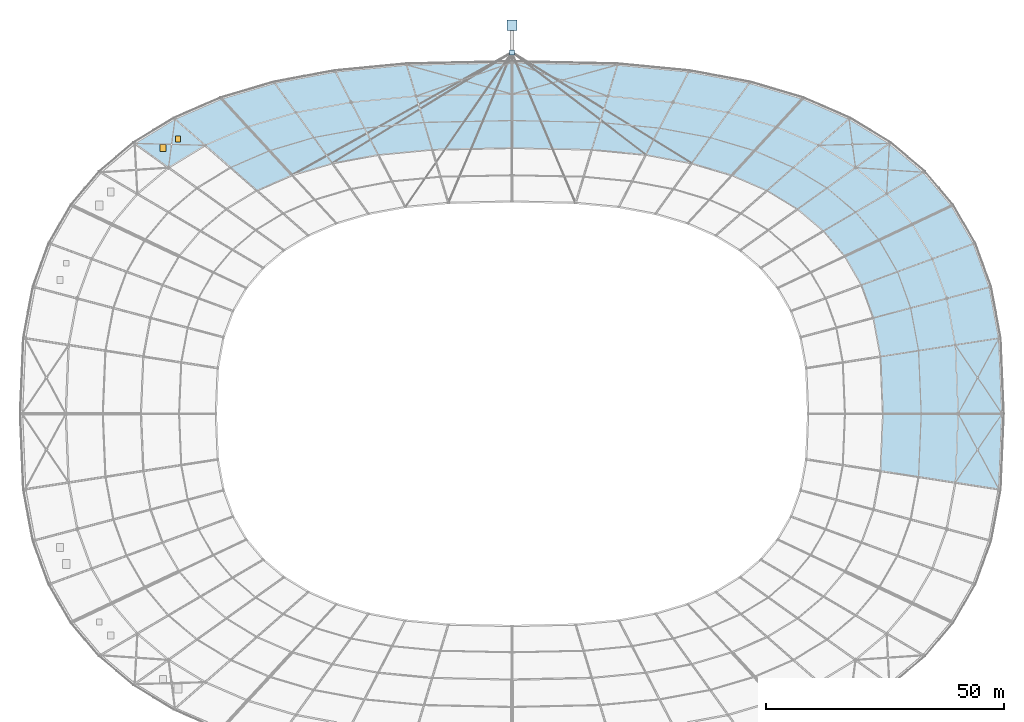
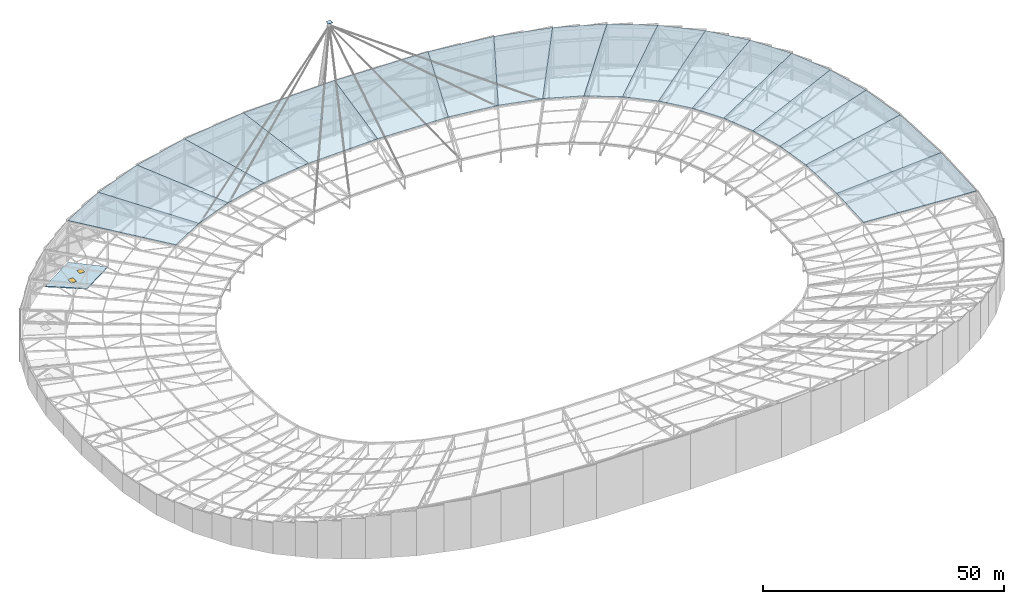
# One storey, part 106 of 143: 19 slabs, 2 plates, 2 windows, 2 openings, 1 element without a shape of its own.
"""IFC4 building model written with IfcOpenShell, lengths in metres."""

from ifc_helpers import new_model, si_unit, direction, frame, origin, origin_2d, place, context, subcontext, project, spatial, polyline, rectangle, outline, extrude, material, layer, layer_set, type_object, element, fill, aggregate, save


model = new_model("IFC4")

# Units and contexts
model_context = context("Model", 3, precision=1e-05, world=origin(), true_north=direction((0.0, 1.0)))
body_context = subcontext(model_context, "Body", "Model", "MODEL_VIEW")
ifc_project = project(units=[si_unit("LENGTHUNIT", "METRE"), si_unit("AREAUNIT", "SQUARE_METRE"), si_unit("VOLUMEUNIT", "CUBIC_METRE"), si_unit("PLANEANGLEUNIT", "RADIAN"), si_unit("MASSUNIT", "GRAM", prefix="KILO")], contexts=[model_context])

# Site, building, storey
site_placement = place(None, origin())
site = spatial("IfcSite", under=ifc_project, at=site_placement, CompositionType="ELEMENT")
building_placement = place(site_placement, origin())
building = spatial("IfcBuilding", under=site, at=building_placement, Name="Mphavela Belvedere Stadium", CompositionType="ELEMENT")
storey_placement = place(building_placement, frame((0.0, 0.0, 28.800048828125)))
storey = spatial("IfcBuildingStorey", under=building, at=storey_placement, Name="RF", CompositionType="ELEMENT", Elevation=28.800048828125)

# Plates
ifc_material_1 = material(Name="Steel S355", Category="steel")
ifc_layer_1 = layer(ifc_material_1, 0.031982421875)
ifc_layer_set_1 = layer_set([ifc_layer_1], Name="Steel S355")
plate_type_1 = type_object("IfcPlateType", Name="PLT-CAP-MAST-BASE", PredefinedType="USERDEFINED", material=ifc_layer_set_1)
plate_1_placement = place(storey_placement, frame((115.0, 168.5, 0.0), z_axis=(0.0, 0.0, 1.0), x_axis=(1.0, 0.0, 0.0)))
element("IfcPlate", 1, at=plate_1_placement, inside=storey, type_object=plate_type_1, Name="North raked mast RM1 base plate and anchor assembly", ObjectType="GUSSET_PLATE", PredefinedType="USERDEFINED", context=body_context, shape_type="SweptSolid", body=[
    extrude(rectangle(XDim=2.199951171875, YDim=2.199951171875, at=origin_2d()), origin(), (0.0, 0.0, 1.0), 0.031982421875),
])
ifc_material_2 = material(Name="Steel S355", Category="steel")
ifc_layer_2 = layer(ifc_material_2, 0.028076171875)
ifc_layer_set_2 = layer_set([ifc_layer_2], Name="Steel S355")
plate_type_2 = type_object("IfcPlateType", Name="PLT-CAP-MAST-TOP", PredefinedType="USERDEFINED", material=ifc_layer_set_2)
plate_2_placement = place(storey_placement, frame((115.0, 162.800048828125, 27.5859375), z_axis=(0.0, 0.0, 1.0), x_axis=(1.0, 0.0, 0.0)))
element("IfcPlate", 2, at=plate_2_placement, inside=storey, type_object=plate_type_2, Name="North raked mast RM1 apex cap plate", ObjectType="GUSSET_PLATE", PredefinedType="USERDEFINED", context=body_context, shape_type="SweptSolid", body=[
    extrude(rectangle(XDim=1.10009765625, YDim=1.10009765625, at=origin_2d()), origin(), (0.0, 0.0, 1.0), 0.028076171875),
])

# Roof, slabs, openings, windows
ifc_material_3 = material(Name="Translucent polycarbonate roof glazing", Category="glass")
roof_type = type_object("IfcRoofType", Name="ROOF-SADDLE-ASSY", PredefinedType="FREEFORM", material=ifc_material_3)
roof_placement = place(storey_placement, origin())
roof = element("IfcRoof", 3, at=roof_placement, inside=storey, type_object=roof_type, Name="Elliptical translucent saddle ring roof", PredefinedType="FREEFORM")
ifc_material_4 = material(Name="Translucent polycarbonate roof glazing over Steel S355 purlins", Category="steel")
ifc_layer_3 = layer(ifc_material_4, 0.179931640625)
ifc_layer_set_3 = layer_set([ifc_layer_3], Name="Translucent polycarbonate roof glazing over Steel S355 purlins")
slab_type_1 = type_object("IfcSlabType", Name="SLB-ROOF-POLY-180", PredefinedType="ROOF", material=ifc_layer_set_3)
slab_1_placement = place(storey_placement, frame((192.842529296875, 87.0, 2.9453125), z_axis=(-0.062750824658, -0.012932047548, 0.997945437462), x_axis=(-0.041906744972, 0.99906831481, 0.010311501771)))
slab_1 = element("IfcSlab", 4, at=slab_1_placement, type_object=slab_type_1, Name="Translucent saddle canopy panel 01-2", PredefinedType="ROOF", context=body_context, shape_type="SweptSolid", body=[
    extrude(outline(polyline([(0.0, 0.0), (12.007035981681947, 8.673617379884035e-18), (14.829211472599106, -25.005723198609175), (-1.0305325619412222, -25.005641531820796), (0.0, 0.0)])), origin(), (0.0, 0.0, -1.0), 0.179931640625),
])
slab_2_placement = place(storey_placement, frame((192.33935546875, 98.995849609375, 3.069091796875), z_axis=(-0.056154244262, -0.055032730131, 0.996904257923), x_axis=(-0.18243819098, 0.982234706245, 0.043946425573)))
slab_2 = element("IfcSlab", 5, at=slab_2_placement, type_object=slab_type_1, Name="Translucent saddle canopy panel 02-2", PredefinedType="ROOF", context=body_context, shape_type="SweptSolid", body=[
    extrude(outline(polyline([(0.0, 0.0), (8.260768981880847, 1.0408340855860843e-16), (10.23552338864313, -25.155086016875817), (-0.6759062003940843, -25.155397392929647), (0.0, 0.0)])), origin(), (0.0, 0.0, -1.0), 0.179931640625),
])
slab_3_placement = place(storey_placement, frame((190.832275390625, 107.10986328125, 3.43212890625), z_axis=(-0.044245308, -0.099200765104, 0.994083276654), x_axis=(-0.340000664528, 0.937152648351, 0.078386617544)))
slab_3 = element("IfcSlab", 6, at=slab_3_placement, type_object=slab_type_1, Name="Translucent saddle canopy panel 03-2", PredefinedType="ROOF", context=body_context, shape_type="SweptSolid", body=[
    extrude(outline(polyline([(0.0, 0.0), (7.367301773413963, 2.220446049250313e-16), (7.640832806532961, -25.146073754961183), (-2.0905256807669184, -25.145729455522236), (0.0, 0.0)])), origin(), (0.0, 0.0, -1.0), 0.179931640625),
])
slab_4_placement = place(storey_placement, frame((188.327392578125, 114.01416015625, 4.009521484375), z_axis=(-0.028862152723, -0.140004301385, 0.989730150967), x_axis=(-0.49768019511, 0.860705565907, 0.107239695134)))
slab_4 = element("IfcSlab", 7, at=slab_4_placement, type_object=slab_type_1, Name="Translucent saddle canopy panel 04-2", PredefinedType="ROOF", context=body_context, shape_type="SweptSolid", body=[
    extrude(outline(polyline([(0.0, 0.0), (7.018400475773272, 3.0531133177191805e-16), (5.226613501522987, -24.820291656156545), (-4.043962762223195, -24.82027819553575), (0.0, 0.0)])), origin(), (0.0, 0.0, -1.0), 0.179931640625),
])
slab_5_placement = place(storey_placement, frame((184.83447265625, 120.054931640625, 4.76220703125), z_axis=(-0.012483112725, -0.173591051891, 0.984738705749), x_axis=(-0.640074409653, 0.757992736839, 0.125506019804)))
slab_5 = element("IfcSlab", 8, at=slab_5_placement, type_object=slab_type_1, Name="Translucent saddle canopy panel 05-2", PredefinedType="ROOF", context=body_context, shape_type="SweptSolid", body=[
    extrude(outline(polyline([(0.0, 0.0), (6.98351745546173, 1.0269562977782698e-15), (3.19152392636825, -24.142724802360686), (-6.0326516070483684, -24.142586709938033), (0.0, 0.0)])), origin(), (0.0, 0.0, -1.0), 0.179931640625),
])
slab_6_placement = place(storey_placement, frame((180.364501953125, 125.348388671875, 5.638671875), z_axis=(0.002392054769, -0.198047747663, 0.980189455013), x_axis=(-0.757648995264, 0.639373077979, 0.131034602797)))
slab_6 = element("IfcSlab", 9, at=slab_6_placement, type_object=slab_type_1, Name="Translucent saddle canopy panel 06-2", PredefinedType="ROOF", context=body_context, shape_type="SweptSolid", body=[
    extrude(outline(polyline([(0.0, 0.0), (7.177128353319401, -1.1657341758564144e-15), (1.7759581672517495, -23.192195402589864), (-7.704161750379658, -23.192590789533337), (0.0, 0.0)])), origin(), (0.0, 0.0, -1.0), 0.179931640625),
])
slab_7_placement = place(storey_placement, frame((174.9267578125, 129.937255859375, 6.5791015625), z_axis=(0.013750776942, -0.213248287485, 0.976901266259), x_axis=(-0.847670959605, 0.51570568008, 0.1245054046)))
slab_7 = element("IfcSlab", 10, at=slab_7_placement, type_object=slab_type_1, Name="Translucent saddle canopy panel 07-2", PredefinedType="ROOF", context=body_context, shape_type="SweptSolid", body=[
    extrude(outline(polyline([(0.0, 0.0), (7.555168673020906, -3.608224830031759e-16), (1.1254187471130894, -22.105489857060974), (-8.853858380276769, -22.1056499283121), (0.0, 0.0)])), origin(), (0.0, 0.0, -1.0), 0.179931640625),
])
slab_8_placement = place(storey_placement, frame((168.5224609375, 133.83349609375, 7.519775390625), z_axis=(0.020202543556, -0.220281385412, 0.975227136863), x_axis=(-0.912119169022, 0.395386554404, 0.108203946782)))
slab_8 = element("IfcSlab", 11, at=slab_8_placement, type_object=slab_type_1, Name="Translucent saddle canopy panel 08-2", PredefinedType="ROOF", context=body_context, shape_type="SweptSolid", body=[
    extrude(outline(polyline([(0.0, 0.0), (8.100020332656722, -2.220446049250313e-16), (1.3049359001734622, -21.01790024660058), (-9.39418244809289, -21.01769973290086), (0.0, 0.0)])), origin(), (0.0, 0.0, -1.0), 0.179931640625),
])
slab_9_placement = place(storey_placement, frame((161.13427734375, 137.0361328125, 8.396240234375), z_axis=(0.021332302102, -0.221271990629, 0.974978789026), x_axis=(-0.955167102142, 0.283529413605, 0.085245988801)))
slab_9 = element("IfcSlab", 12, at=slab_9_placement, type_object=slab_type_1, Name="Translucent saddle canopy panel 09-2", PredefinedType="ROOF", context=body_context, shape_type="SweptSolid", body=[
    extrude(outline(polyline([(0.0, 0.0), (8.826886929130305, -1.1102230246251565e-16), (2.3545046532320315, -20.033807558749324), (-9.30443501418031, -20.033791260952036), (0.0, 0.0)])), origin(), (0.0, 0.0, -1.0), 0.179931640625),
])
slab_10_placement = place(storey_placement, frame((152.703125, 139.538818359375, 9.148681640625), z_axis=(0.017728133813, -0.218818356617, 0.975604551075), x_axis=(-0.981392714147, 0.18277733663, 0.058828444091)))
slab_10 = element("IfcSlab", 13, at=slab_10_placement, type_object=slab_type_1, Name="Translucent saddle canopy panel 10-2", PredefinedType="ROOF", context=body_context, shape_type="SweptSolid", body=[
    extrude(outline(polyline([(0.0, 0.0), (9.81893425968205, -2.498001805406602e-16), (4.387565532879385, -19.22449784387735), (-8.582237834766785, -19.224733323874474), (0.0, 0.0)])), origin(), (0.0, 0.0, -1.0), 0.179931640625),
])
slab_11_placement = place(storey_placement, frame((143.06689453125, 141.33349609375, 9.726318359375), z_axis=(0.010760990642, -0.215402374624, 0.976466086501), x_axis=(-0.994978062697, 0.094875845376, 0.031894023194)))
slab_11 = element("IfcSlab", 14, at=slab_11_placement, type_object=slab_type_1, Name="Translucent saddle canopy panel 11-2", PredefinedType="ROOF", context=body_context, shape_type="SweptSolid", body=[
    extrude(outline(polyline([(0.0, 0.0), (11.381621024120491, 2.7755575615628914e-17), (7.846678343530269, -18.63955956402324), (-7.187088831635805, -18.63938941384328), (0.0, 0.0)])), origin(), (0.0, 0.0, -1.0), 0.179931640625),
])
slab_12_placement = place(storey_placement, frame((131.742431640625, 142.413330078125, 10.08935546875), z_axis=(0.002638800976, -0.213071133453, 0.977033125753), x_axis=(-0.999741142264, 0.021517374661, 0.007392635029)))
slab_12 = element("IfcSlab", 15, at=slab_12_placement, type_object=slab_type_1, Name="Translucent saddle canopy panel 12-2", PredefinedType="ROOF", context=body_context, shape_type="SweptSolid", body=[
    extrude(outline(polyline([(0.0, 0.0), (16.74676660741878, -4.163336342344337e-17), (17.160698926358865, -18.31218644579), (-4.959531628685112, -18.31207379081793), (0.0, 0.0)])), origin(), (0.0, 0.0, -1.0), 0.179931640625),
])
slab_13_placement = place(storey_placement, frame((115.0, 142.773681640625, 10.213134765625), z_axis=(-0.002638800976, -0.213071133453, 0.977033125753), x_axis=(-0.999741142264, -0.021517374661, -0.007392635029)))
slab_13 = element("IfcSlab", 16, at=slab_13_placement, type_object=slab_type_1, Name="Translucent saddle canopy panel 13-2", PredefinedType="ROOF", context=body_context, shape_type="SweptSolid", body=[
    extrude(outline(polyline([(0.0, 0.0), (16.74676660741878, 4.163336342344337e-17), (21.706298236103894, -18.31207379081793), (-0.4139323189400798, -18.312186445790005), (0.0, 0.0)])), origin(), (0.0, 0.0, -1.0), 0.179931640625),
])
slab_14_placement = place(storey_placement, frame((98.257568359375, 142.413330078125, 10.08935546875), z_axis=(-0.010760990642, -0.215402374624, 0.976466086501), x_axis=(-0.994978062697, -0.094875845376, -0.031894023194)))
slab_14 = element("IfcSlab", 17, at=slab_14_placement, type_object=slab_type_1, Name="Translucent saddle canopy panel 14-2", PredefinedType="ROOF", context=body_context, shape_type="SweptSolid", body=[
    extrude(outline(polyline([(0.0, 0.0), (11.381621024120491, -2.7755575615628914e-17), (18.568709855756293, -18.63938941384328), (3.534942680590222, -18.639559564023244), (0.0, 0.0)])), origin(), (0.0, 0.0, -1.0), 0.179931640625),
])
slab_15_placement = place(storey_placement, frame((86.93310546875, 141.33349609375, 9.726318359375), z_axis=(-0.017728133813, -0.218818356617, 0.975604551075), x_axis=(-0.981392714147, -0.18277733663, -0.058828444091)))
slab_15 = element("IfcSlab", 18, at=slab_15_placement, type_object=slab_type_1, Name="Translucent saddle canopy panel 15-2", PredefinedType="ROOF", context=body_context, shape_type="SweptSolid", body=[
    extrude(outline(polyline([(0.0, 0.0), (9.81893425968205, 2.498001805406602e-16), (18.40117209444884, -19.224733323874474), (5.431368726802666, -19.224497843877355), (0.0, 0.0)])), origin(), (0.0, 0.0, -1.0), 0.179931640625),
])
slab_16_placement = place(storey_placement, frame((77.296875, 139.538818359375, 9.148681640625), z_axis=(-0.021332302102, -0.221271990629, 0.974978789026), x_axis=(-0.955167102142, -0.283529413605, -0.085245988801)))
slab_16 = element("IfcSlab", 19, at=slab_16_placement, type_object=slab_type_1, Name="Translucent saddle canopy panel 16-2", PredefinedType="ROOF", context=body_context, shape_type="SweptSolid", body=[
    extrude(outline(polyline([(0.0, 0.0), (8.826886929130305, 1.1102230246251565e-16), (18.131321943310617, -20.033791260952036), (6.472382275898273, -20.033807558749324), (0.0, 0.0)])), origin(), (0.0, 0.0, -1.0), 0.179931640625),
])
slab_17_placement = place(storey_placement, frame((68.86572265625, 137.0361328125, 8.396240234375), z_axis=(-0.020202543556, -0.220281385412, 0.975227136863), x_axis=(-0.912119169022, -0.395386554404, -0.108203946782)))
slab_17 = element("IfcSlab", 20, at=slab_17_placement, type_object=slab_type_1, Name="Translucent saddle canopy panel 17-2", PredefinedType="ROOF", context=body_context, shape_type="SweptSolid", body=[
    extrude(outline(polyline([(0.0, 0.0), (8.100020332656722, 2.220446049250313e-16), (17.494202780749614, -21.017699732900855), (6.795084432483262, -21.017900246600583), (0.0, 0.0)])), origin(), (0.0, 0.0, -1.0), 0.179931640625),
])
slab_18_placement = place(storey_placement, frame((192.33935546875, 75.004150390625, 3.069091796875), z_axis=(-0.062750824658, 0.012932047548, 0.997945437462), x_axis=(0.041906744972, 0.99906831481, -0.010311501771)))
slab_18 = element("IfcSlab", 21, at=slab_18_placement, type_object=slab_type_1, Name="Translucent saddle canopy panel 48-2", PredefinedType="ROOF", context=body_context, shape_type="SweptSolid", body=[
    extrude(outline(polyline([(0.0, 0.0), (12.007035981681947, -8.673617379884035e-18), (13.037568543623168, -25.0056415318208), (-2.8221754909171586, -25.005723198609175), (0.0, 0.0)])), origin(), (0.0, 0.0, -1.0), 0.179931640625),
])
ifc_material_5 = material(Name="Standing-seam zinc insulated roof over Concrete C40/50", Category="concrete")
ifc_layer_4 = layer(ifc_material_5, 0.239990234375)
ifc_layer_set_4 = layer_set([ifc_layer_4], Name="Standing-seam zinc insulated roof over Concrete C40/50")
slab_type_2 = type_object("IfcSlabType", Name="SLB-ROOF-ZINC-240", PredefinedType="ROOF", material=ifc_layer_set_4)
slab_19_placement = place(storey_placement, frame((0.0, 0.0, -0.239990234375)))
slab_19 = element("IfcSlab", 22, at=slab_19_placement, type_object=slab_type_2, Name="Gondola core overrun roof slab 01", PredefinedType="ROOF", context=body_context, shape_type="SweptSolid", body=[
    extrude(outline(polyline([(50.639892578125, 143.31689453125), (42.938720703125, 138.631591796875), (35.844482421875, 143.714599609375), (44.3037109375, 148.86083984375), (50.639892578125, 143.31689453125)])), origin(), (0.0, 0.0, 1.0), 0.239990234375),
])
opening_1_placement = place(slab_19_placement, frame((44.93408203125, 144.648193359375, 0.0)))
opening_1 = element("IfcOpeningElement", 23, at=opening_1_placement, cuts=slab_19, Name="Opening RH-01", PredefinedType="OPENING", context=body_context, shape_type="SweptSolid", body=[
    extrude(rectangle(XDim=1.14990234375, YDim=1.199951171875, at=origin_2d()), origin(), (0.0, 0.0, 1.0), 0.239990234375),
])
opening_2_placement = place(slab_19_placement, frame((41.773193359375, 142.72509765625, 0.0)))
opening_2 = element("IfcOpeningElement", 24, at=opening_2_placement, cuts=slab_19, Name="Opening RH-02", PredefinedType="OPENING", context=body_context, shape_type="SweptSolid", body=[
    extrude(rectangle(XDim=1.300048828125, YDim=1.449951171875, at=origin_2d()), origin(), (0.0, 0.0, 1.0), 0.239990234375),
])
ifc_material_6 = material(Name="Insulated aluminium skylight roof access hatch", Category="aluminium")
window_type_1 = type_object("IfcWindowType", Name="WIN-HATCH-01", PartitioningType="SINGLE_PANEL", PredefinedType="SKYLIGHT", material=ifc_material_6)
window_1_placement = place(opening_1_placement, frame((0.0, 0.0, 0.18994140625)))
window_1 = element("IfcWindow", 25, at=window_1_placement, inside=storey, type_object=window_type_1, Name="Roof maintenance access skylight hatch RH-01", OverallHeight=1.199951171875, OverallWidth=1.14990234375, PartitioningType="SINGLE_PANEL", PredefinedType="SKYLIGHT", context=body_context, shape_type="SweptSolid", body=[
    extrude(rectangle(XDim=1.14990234375, YDim=1.199951171875, at=origin_2d()), origin(), (0.0, 0.0, 1.0), 0.050048828125),
])
fill(opening_1, window_1)
ifc_material_7 = material(Name="Insulated aluminium skylight roof access hatch", Category="aluminium")
window_type_2 = type_object("IfcWindowType", Name="WIN-HATCH-02", PartitioningType="SINGLE_PANEL", PredefinedType="SKYLIGHT", material=ifc_material_7)
window_2_placement = place(opening_2_placement, frame((0.0, 0.0, 0.18994140625)))
window_2 = element("IfcWindow", 26, at=window_2_placement, inside=storey, type_object=window_type_2, Name="Roof maintenance access skylight hatch RH-02", OverallHeight=1.449951171875, OverallWidth=1.300048828125, PartitioningType="SINGLE_PANEL", PredefinedType="SKYLIGHT", context=body_context, shape_type="SweptSolid", body=[
    extrude(rectangle(XDim=1.300048828125, YDim=1.449951171875, at=origin_2d()), origin(), (0.0, 0.0, 1.0), 0.050048828125),
])
fill(opening_2, window_2)
aggregate(roof, [slab_1, slab_2, slab_3, slab_4, slab_5, slab_6, slab_7, slab_8, slab_9, slab_10, slab_11, slab_12, slab_13, slab_14, slab_15, slab_16, slab_17, slab_18, slab_19])

save(model, "model.ifc")
